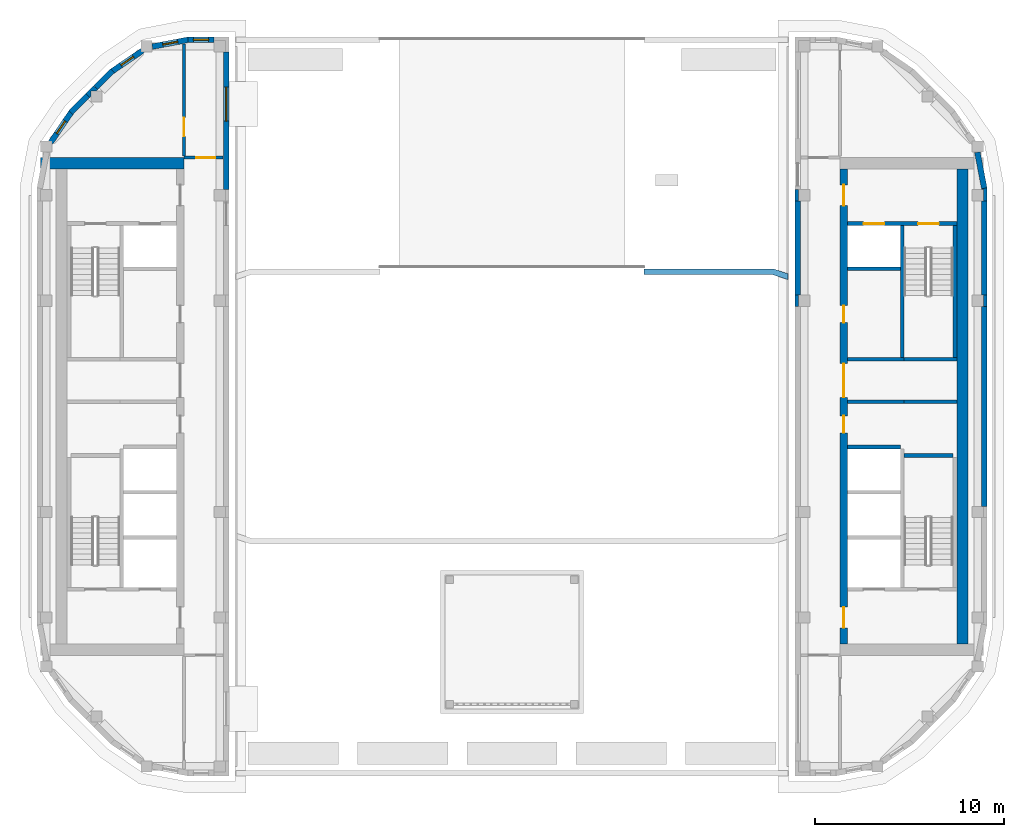
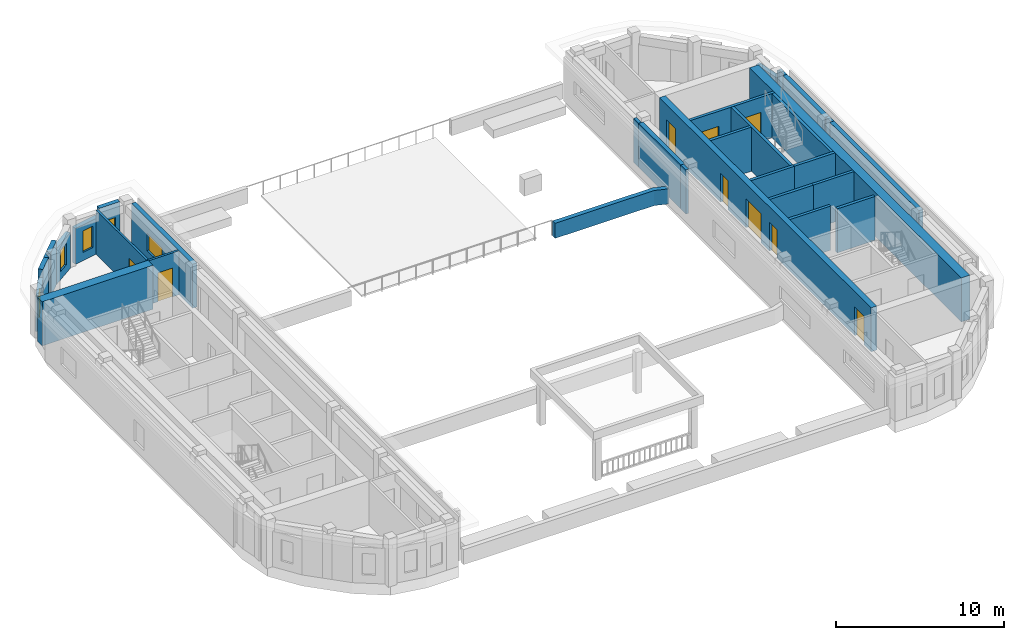
# One storey, part 4 of 14: 32 walls, 9 doors, 5 windows, 14 openings.
"""IFC4 building model written with IfcOpenShell, lengths in metres."""

import ifcopenshell
import ifcopenshell.guid

model = None  # the IFC model being written
_history = None  # IfcOwnerHistory: only IFC2X3 demands one
_inside = {}  # id of a spatial element -> (the spatial element, [elements in it])
_under = {}  # id of a project, library or spatial element -> (it, [spatial elements below it])
_declared = {}  # id of a project -> (the project, [libraries it declares])
_typed = {}  # id of a type object -> (the type object, [elements of that type])
_made_of = {}  # id of a material, layer set ... -> (it, [elements and type objects made of it])


def new_model(schema):
    """Start an empty IFC model of exactly this schema.

    Asked for "IFC4X3", IfcOpenShell would pick the latest addendum, in which some entities
    have other attributes; the version numbers below select the first issue.
    IFC2X3 requires an IfcOwnerHistory on every rooted entity: one is made here for all.
    """
    global model, _history
    if schema == "IFC4X3":
        model = ifcopenshell.file(schema_version=(4, 3, 0, 0))
    else:
        model = ifcopenshell.file(schema=schema)
    _inside.clear()
    _under.clear()
    _declared.clear()
    _typed.clear()
    _made_of.clear()
    _history = None
    if model.schema == "IFC2X3":
        org = make("IfcOrganization", Name="unknown")
        user = make(
            "IfcPersonAndOrganization",
            ThePerson=make("IfcPerson", FamilyName="unknown"),
            TheOrganization=org,
        )
        app = make(
            "IfcApplication",
            ApplicationDeveloper=org,
            Version="unknown",
            ApplicationFullName="unknown",
            ApplicationIdentifier="unknown",
        )
        _history = make(
            "IfcOwnerHistory",
            OwningUser=user,
            OwningApplication=app,
            ChangeAction="ADDED",
            CreationDate=0,
        )
    return model


def make(cls, **values):
    """One entity of the class cls with the attributes given. An attribute that is None is left unset."""
    return model.create_entity(
        cls, **{name: value for name, value in values.items() if value is not None}
    )


def rooted(cls, **values):
    """An entity with a GlobalId (a new one), such as an element, a storey or a relation."""
    return make(cls, GlobalId=ifcopenshell.guid.new(), OwnerHistory=_history, **values)


def si_unit(unit_type, name, prefix=None):
    """IfcSIUnit, for example si_unit("LENGTHUNIT", "METRE", prefix="MILLI")."""
    return make("IfcSIUnit", UnitType=unit_type, Prefix=prefix, Name=name)


def assignment(units):
    """IfcUnitAssignment: the units of a project."""
    return None if units is None else make("IfcUnitAssignment", Units=units)


def point(xyz):
    """IfcCartesianPoint."""
    return None if xyz is None else make("IfcCartesianPoint", Coordinates=xyz)


def direction(xyz):
    """IfcDirection."""
    return None if xyz is None else make("IfcDirection", DirectionRatios=xyz)


def frame(location, z_axis=None, x_axis=None):
    """IfcAxis2Placement3D, a coordinate frame: its origin and axes. An axis left out is left unset."""
    return make(
        "IfcAxis2Placement3D",
        Location=point(location),
        Axis=direction(z_axis),
        RefDirection=direction(x_axis),
    )


def frame_2d(location, x_axis=None):
    """IfcAxis2Placement2D, a coordinate frame in the plane: its origin and x axis."""
    return make(
        "IfcAxis2Placement2D", Location=point(location), RefDirection=direction(x_axis)
    )


def origin():
    """The frame at (0, 0, 0) with its axes left unset."""
    return frame((0.0, 0.0, 0.0))


def place(relative_to, where):
    """IfcLocalPlacement: puts the frame where relative to a parent placement (None: the world)."""
    return make(
        "IfcLocalPlacement", PlacementRelTo=relative_to, RelativePlacement=where
    )


def context(
    kind, dimensions, precision=None, world=None, true_north=None, identifier=None
):
    """IfcGeometricRepresentationContext, for example the 3D "Model" context."""
    return make(
        "IfcGeometricRepresentationContext",
        ContextIdentifier=identifier,
        ContextType=kind,
        CoordinateSpaceDimension=dimensions,
        Precision=precision,
        WorldCoordinateSystem=world,
        TrueNorth=true_north,
    )


def subcontext(parent, identifier, kind, view, scale=None):
    """IfcGeometricRepresentationSubContext, for example "Body" below "Model"."""
    return make(
        "IfcGeometricRepresentationSubContext",
        ContextIdentifier=identifier,
        ContextType=kind,
        ParentContext=parent,
        TargetScale=scale,
        TargetView=view,
    )


def project(units=None, contexts=None):
    """IfcProject with its units and contexts."""
    return rooted(
        "IfcProject",
        Name="project",
        RepresentationContexts=contexts,
        UnitsInContext=assignment(units),
    )


def spatial(cls, under=None, at=None, **own):
    """A site, building, storey or space (cls), placed at a placement, below another one or the project."""
    s = rooted(cls, ObjectPlacement=at, **own)
    if under is not None:
        _under.setdefault(under.id(), (under, []))[1].append(s)
    return s


def polyline(points):
    """IfcPolyline through the points."""
    return make("IfcPolyline", Points=[point(p) for p in points])


def profile(cls, at=None, kind="AREA", **sizes):
    """A parametric profile (cls). Its sizes go by their IFC names, for example OverallWidth=200.0."""
    return make(cls, ProfileType=kind, Position=at, **sizes)


def rectangle(**sizes):
    """IfcRectangleProfileDef."""
    return profile("IfcRectangleProfileDef", **sizes)


def outline(outer, holes=None, kind="AREA"):
    """IfcArbitraryClosedProfileDef: a profile drawn as a closed curve; with holes, ...WithVoids."""
    if holes is None:
        return make("IfcArbitraryClosedProfileDef", ProfileType=kind, OuterCurve=outer)
    return make(
        "IfcArbitraryProfileDefWithVoids",
        ProfileType=kind,
        OuterCurve=outer,
        InnerCurves=holes,
    )


def extrude(swept, where, along, depth):
    """IfcExtrudedAreaSolid: the profile swept, set in the frame where, extruded along a direction by depth."""
    return make(
        "IfcExtrudedAreaSolid",
        SweptArea=swept,
        Position=where,
        ExtrudedDirection=direction(along),
        Depth=depth,
    )


def shape(context_of_items, identifier, shape_type, items):
    """IfcShapeRepresentation: the items that make up one representation, for example the "Body"."""
    return make(
        "IfcShapeRepresentation",
        ContextOfItems=context_of_items,
        RepresentationIdentifier=identifier,
        RepresentationType=shape_type,
        Items=items,
    )


def material(Name=None, Category=None):
    """IfcMaterial."""
    return make("IfcMaterial", Name=Name, Category=Category)


def layer(
    of_material, thickness, ventilated=None, Name=None, Category=None, Priority=None
):
    """IfcMaterialLayer: one layer of a wall or slab, of a material (None: an air gap)."""
    return make(
        "IfcMaterialLayer",
        Material=of_material,
        LayerThickness=thickness,
        IsVentilated=ventilated,
        Name=Name,
        Category=Category,
        Priority=Priority,
    )


def layer_set(layers, Name=None):
    """IfcMaterialLayerSet."""
    return make("IfcMaterialLayerSet", MaterialLayers=layers, LayerSetName=Name)


def made_of(thing, what):
    """Note that an element or type object is made of a material, layer set ...; save() writes the relation."""
    if what is not None:
        _made_of.setdefault(what.id(), (what, []))[1].append(thing)
    return thing


def type_object(cls, material=None, **own):
    """A type object (cls), such as IfcWallType, which elements share."""
    return made_of(rooted(cls, **own), material)


def element(
    cls,
    number,
    at=None,
    inside=None,
    cuts=None,
    type_object=None,
    material=None,
    context=None,
    identifier="Body",
    shape_type=None,
    held_by="IfcProductDefinitionShape",
    body=None,
    shapes=None,
    **own,
):
    """One element of the class cls, such as IfcWall. Its Tag is "e" and its number.

    at: its placement. inside: the storey or other place that contains it. cuts: it is an
    opening in that element (IfcRelVoidsElement). A single representation is given by context,
    identifier, shape_type and body (its items); several are given by shapes. held_by: the class
    of the entity that holds the representations. save() writes the other relations.
    """
    e = rooted(cls, Tag="e%d" % number, ObjectPlacement=at, **own)
    if body is not None:
        shapes = [shape(context, identifier, shape_type, body)]
    if shapes is not None:
        e.Representation = make(held_by, Representations=shapes)
    if inside is not None:
        _inside.setdefault(inside.id(), (inside, []))[1].append(e)
    if cuts is not None:
        rooted(
            "IfcRelVoidsElement", RelatingBuildingElement=cuts, RelatedOpeningElement=e
        )
    if type_object is not None:
        _typed.setdefault(type_object.id(), (type_object, []))[1].append(e)
    return made_of(e, material)


def fill(opening, filler):
    """IfcRelFillsElement: the door or window that sits in an opening."""
    return rooted(
        "IfcRelFillsElement",
        RelatingOpeningElement=opening,
        RelatedBuildingElement=filler,
    )


def aggregate(whole, parts):
    """IfcRelAggregates: a whole, such as a stair, and the parts it consists of."""
    return rooted("IfcRelAggregates", RelatingObject=whole, RelatedObjects=parts)


def save(model, path):
    """Write the relations noted so far, then the file.

    IfcRelAggregates (storeys below a building ...), IfcRelContainedInSpatialStructure (elements
    in a storey), IfcRelDefinesByType, IfcRelAssociatesMaterial and IfcRelDeclares: one each for
    every whole, place, type object, material and project.
    """
    for whole, parts in _under.values():
        aggregate(whole, parts)
    for where, things in _inside.values():
        rooted(
            "IfcRelContainedInSpatialStructure",
            RelatedElements=things,
            RelatingStructure=where,
        )
    for kind, things in _typed.values():
        rooted("IfcRelDefinesByType", RelatedObjects=things, RelatingType=kind)
    for what, things in _made_of.values():
        rooted("IfcRelAssociatesMaterial", RelatedObjects=things, RelatingMaterial=what)
    for by, libraries in _declared.values():
        rooted("IfcRelDeclares", RelatingContext=by, RelatedDefinitions=libraries)
    model.write(path)


model = new_model("IFC4")

# Units and contexts
model_context = context("Model", 3, precision=1e-05, world=origin(), true_north=direction((0.0, 1.0)))
body_context = subcontext(model_context, "Body", "Model", "MODEL_VIEW")
ifc_project = project(units=[si_unit("LENGTHUNIT", "METRE"), si_unit("AREAUNIT", "SQUARE_METRE"), si_unit("VOLUMEUNIT", "CUBIC_METRE"), si_unit("PLANEANGLEUNIT", "RADIAN"), si_unit("MASSUNIT", "GRAM", prefix="KILO")], contexts=[model_context])

# Site, building, storey
site_placement = place(None, origin())
site = spatial("IfcSite", under=ifc_project, at=site_placement, CompositionType="ELEMENT")
building_placement = place(site_placement, origin())
building = spatial("IfcBuilding", under=site, at=building_placement, Name="Kiln Ring Residences", CompositionType="ELEMENT")
storey_placement = place(building_placement, frame((0.0, 0.0, 299.89990234375)))
storey = spatial("IfcBuildingStorey", under=building, at=storey_placement, Name="L77 Crown", CompositionType="ELEMENT", Elevation=299.89990234375)

# Walls
ifc_material_1 = material(Name="Gypsum board on steel studs", Category="steel")
ifc_layer_1 = layer(ifc_material_1, 0.199951171875)
ifc_layer_set_1 = layer_set([ifc_layer_1], Name="CORE-PARTITION-200")
wall_type_1 = type_object("IfcWallType", Name="CORE-PARTITION-200", PredefinedType="PARTITIONING", material=ifc_layer_set_1)
wall_1_placement = place(storey_placement, frame((20.800048828125, 0.25, 0.0), z_axis=(0.0, 0.0, 1.0), x_axis=(1.0, 0.0, 0.0)))
element("IfcWall", 1, at=wall_1_placement, inside=storey, type_object=wall_type_1, Name="Core partition east L77 Crown 1", PredefinedType="PARTITIONING", context=body_context, shape_type="SweptSolid", body=[
    extrude(rectangle(XDim=2.800048828125, YDim=0.199951171875, at=frame_2d((1.39990234375, 0.0))), origin(), (0.0, 0.0, 1.0), 3.2001953125),
])
ifc_material_2 = material(Name="Gypsum shaft wall system")
ifc_layer_2 = layer(ifc_material_2, 0.199951171875)
ifc_layer_set_2 = layer_set([ifc_layer_2], Name="CORE-SHAFT-WALL-200")
wall_type_2 = type_object("IfcWallType", Name="CORE-SHAFT-WALL-200", PredefinedType="PARTITIONING", material=ifc_layer_set_2)
wall_2_placement = place(storey_placement, frame((17.800048828125, -2.14990234375, 0.0), z_axis=(0.0, 0.0, 1.0), x_axis=(1.0, 0.0, 0.0)))
element("IfcWall", 2, at=wall_2_placement, inside=storey, type_object=wall_type_2, Name="Core partition east L77 Crown 4", PredefinedType="PARTITIONING", context=body_context, shape_type="SweptSolid", body=[
    extrude(rectangle(XDim=2.800048828125, YDim=0.199951171875, at=frame_2d((1.39990234375, 0.0))), origin(), (0.0, 0.0, 1.0), 3.2001953125),
])
for number, where, z_axis, x_axis, name in (
    (3, (17.800048828125, 0.25, 0.0), (0.0, 0.0, 1.0), (1.0, 0.0, 0.0), "Core partition east L77 Crown 5"),
    (4, (17.800048828125, 2.5, 0.0), (0.0, 0.0, 1.0), (1.0, 0.0, 0.0), "Core partition east L77 Crown 6"),
):
    element("IfcWall", number, at=place(storey_placement, frame(where, z_axis=z_axis, x_axis=x_axis)), inside=storey, type_object=wall_type_2, Name=name, PredefinedType="PARTITIONING", context=body_context, shape_type="SweptSolid", body=[
        extrude(rectangle(XDim=3.0, YDim=0.199951171875, at=frame_2d((1.5, 0.0))), origin(), (0.0, 0.0, 1.0), 3.2001953125),
    ])
wall_3_placement = place(storey_placement, frame((17.800048828125, 7.300048828125, 0.0), z_axis=(0.0, 0.0, 1.0), x_axis=(1.0, 0.0, 0.0)))
element("IfcWall", 5, at=wall_3_placement, inside=storey, type_object=wall_type_2, Name="Core partition east L77 Crown 7", PredefinedType="PARTITIONING", context=body_context, shape_type="SweptSolid", body=[
    extrude(rectangle(XDim=2.800048828125, YDim=0.199951171875, at=frame_2d((1.39990234375, 0.0))), origin(), (0.0, 0.0, 1.0), 3.2001953125),
])
ifc_material_3 = material(Name="Concrete C40/50", Category="concrete")
ifc_layer_3 = layer(ifc_material_3, 0.199951171875)
ifc_layer_set_3 = layer_set([ifc_layer_3], Name="CORE-WALL-RC200")
wall_type_3 = type_object("IfcWallType", Name="CORE-WALL-RC200", PredefinedType="SHEAR", material=ifc_layer_set_3)
wall_4_placement = place(storey_placement, frame((20.699951171875, 2.60009765625, 0.0), z_axis=(0.0, 0.0, 1.0), x_axis=(0.0, 1.0, 0.0)))
element("IfcWall", 6, at=wall_4_placement, inside=storey, type_object=wall_type_3, Name="Core wall east L77 Crown 1", PredefinedType="SHEAR", context=body_context, shape_type="SweptSolid", body=[
    extrude(rectangle(XDim=7.0, YDim=0.199951171875, at=frame_2d((3.5, 0.0))), origin(), (0.0, 0.0, 1.0), 3.2001953125),
])
wall_5_placement = place(storey_placement, frame((20.800048828125, 2.5, 0.0), z_axis=(0.0, 0.0, 1.0), x_axis=(1.0, 0.0, 0.0)))
element("IfcWall", 7, at=wall_5_placement, inside=storey, type_object=wall_type_3, Name="Core wall east L77 Crown 3", PredefinedType="SHEAR", context=body_context, shape_type="SweptSolid", body=[
    extrude(rectangle(XDim=2.800048828125, YDim=0.199951171875, at=frame_2d((1.39990234375, 0.0))), origin(), (0.0, 0.0, 1.0), 3.2001953125),
])

# Wall, openings, doors
wall_6_placement = place(storey_placement, frame((17.800048828125, 9.699951171875, 0.0), z_axis=(0.0, 0.0, 1.0), x_axis=(1.0, 0.0, 0.0)))
wall_6 = element("IfcWall", 8, at=wall_6_placement, inside=storey, type_object=wall_type_3, Name="Core wall east L77 Crown 9", PredefinedType="SHEAR", context=body_context, shape_type="SweptSolid", body=[
    extrude(rectangle(XDim=5.800048828125, YDim=0.199951171875, at=frame_2d((2.89990234375, 0.0))), origin(), (0.0, 0.0, 1.0), 3.2001953125),
])
opening_1_placement = place(wall_6_placement, frame((0.85009765625, 0.0, 0.0)))
opening_1 = element("IfcOpeningElement", 9, at=opening_1_placement, cuts=wall_6, Name="Opening L77-CE04", PredefinedType="OPENING", context=body_context, shape_type="SweptSolid", body=[
    extrude(rectangle(XDim=1.10009765625, YDim=2.10009765625, at=frame_2d((0.550048828125, 1.050048828125))), frame((0.0, 0.10986328125, 0.0), z_axis=(0.0, -1.0, 0.0), x_axis=(1.0, 0.0, 0.0)), (0.0, 0.0, 1.0), 0.219970703125),
])
opening_2_placement = place(wall_6_placement, frame((3.75, 0.0, 0.0)))
opening_2 = element("IfcOpeningElement", 10, at=opening_2_placement, cuts=wall_6, Name="Opening L77-CE07", PredefinedType="OPENING", context=body_context, shape_type="SweptSolid", body=[
    extrude(rectangle(XDim=1.10009765625, YDim=2.10009765625, at=frame_2d((0.550048828125, 1.050048828125))), frame((0.0, 0.10986328125, 0.0), z_axis=(0.0, -1.0, 0.0), x_axis=(1.0, 0.0, 0.0)), (0.0, 0.0, 1.0), 0.219970703125),
])
ifc_material_4 = material(Name="Steel door leaf", Category="steel")
door_type_1 = type_object("IfcDoorType", Name="CORE-DOOR-LD", OperationType="DOUBLE_DOOR_SLIDING", PredefinedType="DOOR", material=ifc_material_4)
door_1_placement = place(opening_1_placement, origin())
door_1 = element("IfcDoor", 11, at=door_1_placement, inside=storey, type_object=door_type_1, Name="LD E-FF L77-CE04", OperationType="DOUBLE_DOOR_SLIDING", OverallHeight=2.10009765625, OverallWidth=1.10009765625, PredefinedType="DOOR", context=body_context, shape_type="SweptSolid", body=[
    extrude(rectangle(XDim=1.10009765625, YDim=2.10009765625, at=frame_2d((0.550048828125, 1.050048828125))), frame((0.0, 0.02490234375, 0.0), z_axis=(0.0, -1.0, 0.0), x_axis=(1.0, 0.0, 0.0)), (0.0, 0.0, 1.0), 0.050048828125),
])
fill(opening_1, door_1)
ifc_material_5 = material(Name="Steel door leaf", Category="steel")
door_type_2 = type_object("IfcDoorType", Name="CORE-DOOR-STAIR", OperationType="SINGLE_SWING_LEFT", PredefinedType="DOOR", material=ifc_material_5)
door_2_placement = place(opening_2_placement, origin())
door_2 = element("IfcDoor", 12, at=door_2_placement, inside=storey, type_object=door_type_2, Name="Stair E-STN L77-CE07", OperationType="SINGLE_SWING_RIGHT", OverallHeight=2.10009765625, OverallWidth=1.10009765625, PredefinedType="DOOR", context=body_context, shape_type="SweptSolid", body=[
    extrude(rectangle(XDim=1.10009765625, YDim=2.10009765625, at=frame_2d((0.550048828125, 1.050048828125))), frame((0.0, 0.02490234375, 0.0), z_axis=(0.0, -1.0, 0.0), x_axis=(1.0, 0.0, 0.0)), (0.0, 0.0, 1.0), 0.050048828125),
])
fill(opening_2, door_2)

# Walls
wall_7_placement = place(storey_placement, frame((23.5, 2.60009765625, 0.0), z_axis=(0.0, 0.0, 1.0), x_axis=(0.0, 1.0, 0.0)))
element("IfcWall", 13, at=wall_7_placement, inside=storey, type_object=wall_type_3, Name="Core wall east L77 Crown 10", PredefinedType="SHEAR", context=body_context, shape_type="SweptSolid", body=[
    extrude(rectangle(XDim=7.0, YDim=0.199951171875, at=frame_2d((3.5, 0.0))), origin(), (0.0, 0.0, 1.0), 3.2001953125),
])
wall_8_placement = place(storey_placement, frame((20.800048828125, -2.60009765625, 0.0), z_axis=(0.0, 0.0, 1.0), x_axis=(1.0, 0.0, 0.0)))
element("IfcWall", 14, at=wall_8_placement, inside=storey, type_object=wall_type_3, Name="Core wall east L77 Crown 12", PredefinedType="SHEAR", context=body_context, shape_type="SweptSolid", body=[
    extrude(rectangle(XDim=2.599853515625, YDim=0.199951171875, at=frame_2d((1.2998046875, 0.0))), origin(), (0.0, 0.0, 1.0), 3.2001953125),
])

# Wall, openings, doors
ifc_material_6 = material(Name="Concrete C60/75", Category="concrete")
ifc_layer_4 = layer(ifc_material_6, 0.39990234375)
ifc_layer_set_4 = layer_set([ifc_layer_4], Name="CORE-WALL-RC400")
wall_type_4 = type_object("IfcWallType", Name="CORE-WALL-RC400", PredefinedType="SHEAR", material=ifc_layer_set_4)
wall_9_placement = place(storey_placement, frame((17.60009765625, -12.60009765625, 0.0), z_axis=(0.0, 0.0, 1.0), x_axis=(0.0, 1.0, 0.0)))
wall_9 = element("IfcWall", 15, at=wall_9_placement, inside=storey, type_object=wall_type_4, Name="Core wall east L77 Crown 6", PredefinedType="SHEAR", context=body_context, shape_type="SweptSolid", body=[
    extrude(rectangle(XDim=25.2001953125, YDim=0.39990234375, at=frame_2d((12.60009765625, 0.0))), origin(), (0.0, 0.0, 1.0), 3.2001953125),
])
opening_3_placement = place(wall_9_placement, frame((11.199951171875, 0.0, 0.0)))
opening_3 = element("IfcOpeningElement", 16, at=opening_3_placement, cuts=wall_9, Name="Opening L77-CE02", PredefinedType="OPENING", context=body_context, shape_type="SweptSolid", body=[
    extrude(rectangle(XDim=0.89990234375, YDim=2.10009765625, at=frame_2d((0.449951171875, 1.050048828125))), frame((0.0, 0.2099609375, 0.0), z_axis=(0.0, -1.0, 0.0), x_axis=(1.0, 0.0, 0.0)), (0.0, 0.0, 1.0), 0.419921875),
])
opening_4_placement = place(wall_9_placement, frame((17.050048828125, 0.0, 0.0)))
opening_4 = element("IfcOpeningElement", 17, at=opening_4_placement, cuts=wall_9, Name="Opening L77-CE03", PredefinedType="OPENING", context=body_context, shape_type="SweptSolid", body=[
    extrude(rectangle(XDim=0.89990234375, YDim=2.10009765625, at=frame_2d((0.449951171875, 1.050048828125))), frame((0.0, 0.2099609375, 0.0), z_axis=(0.0, -1.0, 0.0), x_axis=(1.0, 0.0, 0.0)), (0.0, 0.0, 1.0), 0.419921875),
])
opening_5_placement = place(wall_9_placement, frame((23.25, 0.0, 0.0)))
opening_5 = element("IfcOpeningElement", 18, at=opening_5_placement, cuts=wall_9, Name="Opening L77-CE05", PredefinedType="OPENING", context=body_context, shape_type="SweptSolid", body=[
    extrude(rectangle(XDim=1.10009765625, YDim=2.10009765625, at=frame_2d((0.550048828125, 1.050048828125))), frame((0.0, 0.2099609375, 0.0), z_axis=(0.0, -1.0, 0.0), x_axis=(1.0, 0.0, 0.0)), (0.0, 0.0, 1.0), 0.419921875),
])
opening_6_placement = place(wall_9_placement, frame((0.85009765625, 0.0, 0.0)))
opening_6 = element("IfcOpeningElement", 19, at=opening_6_placement, cuts=wall_9, Name="Opening L77-CE06", PredefinedType="OPENING", context=body_context, shape_type="SweptSolid", body=[
    extrude(rectangle(XDim=1.10009765625, YDim=2.10009765625, at=frame_2d((0.550048828125, 1.050048828125))), frame((0.0, 0.2099609375, 0.0), z_axis=(0.0, -1.0, 0.0), x_axis=(1.0, 0.0, 0.0)), (0.0, 0.0, 1.0), 0.419921875),
])
opening_7_placement = place(wall_9_placement, frame((13.074951171875, 0.0, 0.0)))
opening_7 = element("IfcOpeningElement", 20, at=opening_7_placement, cuts=wall_9, Name="Opening L77-CE09", PredefinedType="OPENING", context=body_context, shape_type="SweptSolid", body=[
    extrude(rectangle(XDim=1.800048828125, YDim=2.10009765625, at=frame_2d((0.89990234375, 1.050048828125))), frame((0.0, 0.2099609375, 0.0), z_axis=(0.0, -1.0, 0.0), x_axis=(1.0, 0.0, 0.0)), (0.0, 0.0, 1.0), 0.419921875),
])
ifc_material_7 = material(Name="Steel door leaf", Category="steel")
door_type_3 = type_object("IfcDoorType", Name="CORE-DOOR-LOBBY", OperationType="SINGLE_SWING_LEFT", PredefinedType="DOOR", material=ifc_material_7)
door_3_placement = place(opening_5_placement, origin())
door_3 = element("IfcDoor", 21, at=door_3_placement, inside=storey, type_object=door_type_3, Name="FFL L77-CE05", OperationType="SINGLE_SWING_LEFT", OverallHeight=2.10009765625, OverallWidth=1.10009765625, PredefinedType="DOOR", context=body_context, shape_type="SweptSolid", body=[
    extrude(rectangle(XDim=1.10009765625, YDim=2.10009765625, at=frame_2d((0.550048828125, 1.050048828125))), frame((0.0, 0.02490234375, 0.0), z_axis=(0.0, -1.0, 0.0), x_axis=(1.0, 0.0, 0.0)), (0.0, 0.0, 1.0), 0.050048828125),
])
fill(opening_5, door_3)
door_4_placement = place(opening_6_placement, origin())
door_4 = element("IfcDoor", 22, at=door_4_placement, inside=storey, type_object=door_type_3, Name="SVL L77-CE06", OperationType="SINGLE_SWING_RIGHT", OverallHeight=2.10009765625, OverallWidth=1.10009765625, PredefinedType="DOOR", context=body_context, shape_type="SweptSolid", body=[
    extrude(rectangle(XDim=1.10009765625, YDim=2.10009765625, at=frame_2d((0.550048828125, 1.050048828125))), frame((0.0, 0.02490234375, 0.0), z_axis=(0.0, -1.0, 0.0), x_axis=(1.0, 0.0, 0.0)), (0.0, 0.0, 1.0), 0.050048828125),
])
fill(opening_6, door_4)
ifc_material_8 = material(Name="Steel door leaf", Category="steel")
door_type_4 = type_object("IfcDoorType", Name="CORE-DOOR-PASS", OperationType="DOUBLE_DOOR_SINGLE_SWING", PredefinedType="DOOR", material=ifc_material_8)
door_5_placement = place(opening_7_placement, origin())
door_5 = element("IfcDoor", 23, at=door_5_placement, inside=storey, type_object=door_type_4, Name="Core passage L77-CE09", OperationType="DOUBLE_DOOR_SINGLE_SWING", OverallHeight=2.10009765625, OverallWidth=1.800048828125, PredefinedType="DOOR", context=body_context, shape_type="SweptSolid", body=[
    extrude(rectangle(XDim=1.800048828125, YDim=2.10009765625, at=frame_2d((0.89990234375, 1.050048828125))), frame((0.0, 0.02490234375, 0.0), z_axis=(0.0, -1.0, 0.0), x_axis=(1.0, 0.0, 0.0)), (0.0, 0.0, 1.0), 0.050048828125),
])
fill(opening_7, door_5)
ifc_material_9 = material(Name="Steel door leaf", Category="steel")
door_type_5 = type_object("IfcDoorType", Name="CORE-DOOR-ROOM", OperationType="SINGLE_SWING_LEFT", PredefinedType="DOOR", material=ifc_material_9)
door_6_placement = place(opening_3_placement, origin())
door_6 = element("IfcDoor", 24, at=door_6_placement, inside=storey, type_object=door_type_5, Name="Store L77-CE02", OperationType="SINGLE_SWING_LEFT", OverallHeight=2.10009765625, OverallWidth=0.89990234375, PredefinedType="DOOR", context=body_context, shape_type="SweptSolid", body=[
    extrude(rectangle(XDim=0.89990234375, YDim=2.10009765625, at=frame_2d((0.449951171875, 1.050048828125))), frame((0.0, 0.02490234375, 0.0), z_axis=(0.0, -1.0, 0.0), x_axis=(1.0, 0.0, 0.0)), (0.0, 0.0, 1.0), 0.050048828125),
])
fill(opening_3, door_6)
door_7_placement = place(opening_4_placement, origin())
door_7 = element("IfcDoor", 25, at=door_7_placement, inside=storey, type_object=door_type_5, Name="Housekeeping store L77-CE03", OperationType="SINGLE_SWING_RIGHT", OverallHeight=2.10009765625, OverallWidth=0.89990234375, PredefinedType="DOOR", context=body_context, shape_type="SweptSolid", body=[
    extrude(rectangle(XDim=0.89990234375, YDim=2.10009765625, at=frame_2d((0.449951171875, 1.050048828125))), frame((0.0, 0.02490234375, 0.0), z_axis=(0.0, -1.0, 0.0), x_axis=(1.0, 0.0, 0.0)), (0.0, 0.0, 1.0), 0.050048828125),
])
fill(opening_4, door_7)

# Walls
ifc_material_10 = material(Name="Concrete C60/75", Category="concrete")
ifc_layer_5 = layer(ifc_material_10, 0.60009765625)
ifc_layer_set_5 = layer_set([ifc_layer_5], Name="CORE-WALL-RC600")
wall_type_5 = type_object("IfcWallType", Name="CORE-WALL-RC600", PredefinedType="SHEAR", material=ifc_layer_set_5)
wall_10_placement = place(storey_placement, frame((-17.39990234375, 12.89990234375, 0.0), z_axis=(0.0, 0.0, 1.0), x_axis=(-1.0, 0.0, 0.0)))
element("IfcWall", 26, at=wall_10_placement, inside=storey, type_object=wall_type_5, Name="Core wall west L77 Crown 4", PredefinedType="SHEAR", context=body_context, shape_type="SweptSolid", body=[
    extrude(rectangle(XDim=7.60009765625, YDim=0.60009765625, at=frame_2d((3.800048828125, 0.0))), origin(), (0.0, 0.0, 1.0), 3.2001953125),
])
wall_11_placement = place(storey_placement, frame((23.89990234375, -12.60009765625, 0.0), z_axis=(0.0, 0.0, 1.0), x_axis=(0.0, 1.0, 0.0)))
element("IfcWall", 27, at=wall_11_placement, inside=storey, type_object=wall_type_5, Name="Core wall east L77 Crown 7", PredefinedType="SHEAR", context=body_context, shape_type="SweptSolid", body=[
    extrude(rectangle(XDim=25.2001953125, YDim=0.60009765625, at=frame_2d((12.60009765625, 0.0))), origin(), (0.0, 0.0, 1.0), 3.2001953125),
])

# Wall, opening, window
ifc_material_11 = material(Name="Brick masonry, dark clay brick", Category="masonry")
ifc_layer_6 = layer(ifc_material_11, 0.300048828125)
ifc_layer_set_6 = layer_set([ifc_layer_6], Name="EW-300 BRICK WALL")
wall_type_6 = type_object("IfcWallType", Name="EW-300 BRICK WALL", PredefinedType="SOLIDWALL", material=ifc_layer_set_6)
wall_12_placement = place(storey_placement, frame((-15.14990234375, 11.5, 0.0), z_axis=(0.0, 0.0, 1.0), x_axis=(0.0, 1.0, 0.0)))
wall_12 = element("IfcWall", 28, at=wall_12_placement, inside=storey, type_object=wall_type_6, Name="Facade wall L77 Crown 8", PredefinedType="SOLIDWALL", context=body_context, shape_type="SweptSolid", body=[
    extrude(rectangle(XDim=7.300048828125, YDim=0.300048828125, at=frame_2d((3.64990234375, 0.0))), origin(), (0.0, 0.0, 1.0), 3.2001953125),
])
opening_8_placement = place(wall_12_placement, frame((3.637451171875, 0.0, 0.89990234375)))
opening_8 = element("IfcOpeningElement", 29, at=opening_8_placement, cuts=wall_12, Name="Opening W2", PredefinedType="OPENING", context=body_context, shape_type="SweptSolid", body=[
    extrude(rectangle(XDim=1.800048828125, YDim=1.25, at=frame_2d((0.89990234375, 0.625))), frame((0.0, 0.159912109375, 0.0), z_axis=(0.0, -1.0, 0.0), x_axis=(1.0, 0.0, 0.0)), (0.0, 0.0, 1.0), 0.320068359375),
])
ifc_material_12 = material(Name="Aluminium frame with double glazing", Category="aluminium")
window_type_1 = type_object("IfcWindowType", Name="WINDOW 1800 x 1250", PartitioningType="SINGLE_PANEL", PredefinedType="WINDOW", material=ifc_material_12)
window_1_placement = place(opening_8_placement, origin())
window_1 = element("IfcWindow", 30, at=window_1_placement, inside=storey, type_object=window_type_1, Name="Window L77 Crown 5", OverallHeight=1.25, OverallWidth=1.800048828125, PartitioningType="SINGLE_PANEL", PredefinedType="WINDOW", context=body_context, shape_type="SweptSolid", body=[
    extrude(rectangle(XDim=1.800048828125, YDim=1.25, at=frame_2d((0.89990234375, 0.625))), frame((0.0, 0.030029296875, 0.0), z_axis=(0.0, -1.0, 0.0), x_axis=(1.0, 0.0, 0.0)), (0.0, 0.0, 1.0), 0.06005859375),
])
fill(opening_8, window_1)

wall_13_placement = place(storey_placement, frame((-15.800048828125, 19.449951171875, 0.0), z_axis=(0.0, 0.0, 1.0), x_axis=(-1.0, 0.0, 0.0)))
wall_13 = element("IfcWall", 31, at=wall_13_placement, inside=storey, type_object=wall_type_6, Name="Facade wall L77 Crown 9", PredefinedType="SOLIDWALL", context=body_context, shape_type="SweptSolid", body=[
    extrude(rectangle(XDim=1.39990234375, YDim=0.300048828125, at=frame_2d((0.699951171875, 0.0))), origin(), (0.0, 0.0, 1.0), 3.2001953125),
])
opening_9_placement = place(wall_13_placement, frame((0.300048828125, 0.0, 0.60009765625)))
opening_9 = element("IfcOpeningElement", 32, at=opening_9_placement, cuts=wall_13, Name="Opening W5", PredefinedType="OPENING", context=body_context, shape_type="SweptSolid", body=[
    extrude(rectangle(XDim=0.800048828125, YDim=1.550048828125, at=frame_2d((0.39990234375, 0.77490234375))), frame((0.0, 0.159912109375, 0.0), z_axis=(0.0, -1.0, 0.0), x_axis=(1.0, 0.0, 0.0)), (0.0, 0.0, 1.0), 0.320068359375),
])
ifc_material_13 = material(Name="Aluminium frame with double glazing", Category="aluminium")
window_type_2 = type_object("IfcWindowType", Name="WINDOW 800 x 1550", PartitioningType="SINGLE_PANEL", PredefinedType="WINDOW", material=ifc_material_13)
window_2_placement = place(opening_9_placement, origin())
window_2 = element("IfcWindow", 33, at=window_2_placement, inside=storey, type_object=window_type_2, Name="Window L77 Crown 6", OverallHeight=1.550048828125, OverallWidth=0.800048828125, PartitioningType="SINGLE_PANEL", PredefinedType="WINDOW", context=body_context, shape_type="SweptSolid", body=[
    extrude(rectangle(XDim=0.800048828125, YDim=1.550048828125, at=frame_2d((0.39990234375, 0.77490234375))), frame((0.0, 0.030029296875, 0.0), z_axis=(0.0, -1.0, 0.0), x_axis=(1.0, 0.0, 0.0)), (0.0, 0.0, 1.0), 0.06005859375),
])
fill(opening_9, window_2)

wall_14_placement = place(storey_placement, frame((-17.171875, 19.45263671875, 0.0), z_axis=(0.0, 0.0, 1.0), x_axis=(-0.982286967073, -0.187382801553, 0.0)))
wall_14 = element("IfcWall", 34, at=wall_14_placement, inside=storey, type_object=wall_type_6, Name="Facade wall L77 Crown 10", PredefinedType="SOLIDWALL", context=body_context, shape_type="SweptSolid", body=[
    extrude(rectangle(XDim=1.94775390625, YDim=0.300048828125, at=frame_2d((0.973876953125, 0.0))), origin(), (0.0, 0.0, 1.0), 2.60009765625),
])
opening_10_placement = place(wall_14_placement, frame((0.573974609375, 0.0, 0.60009765625)))
opening_10 = element("IfcOpeningElement", 35, at=opening_10_placement, cuts=wall_14, Name="Opening W5", PredefinedType="OPENING", context=body_context, shape_type="SweptSolid", body=[
    extrude(rectangle(XDim=0.800048828125, YDim=1.550048828125, at=frame_2d((0.39990234375, 0.77490234375))), frame((0.0, 0.159912109375, 0.0), z_axis=(0.0, -1.0, 0.0), x_axis=(1.0, 0.0, 0.0)), (0.0, 0.0, 1.0), 0.320068359375),
])
window_3_placement = place(opening_10_placement, origin())
window_3 = element("IfcWindow", 36, at=window_3_placement, inside=storey, type_object=window_type_2, Name="Window L77 Crown 7", OverallHeight=1.550048828125, OverallWidth=0.800048828125, PartitioningType="SINGLE_PANEL", PredefinedType="WINDOW", context=body_context, shape_type="SweptSolid", body=[
    extrude(rectangle(XDim=0.800048828125, YDim=1.550048828125, at=frame_2d((0.39990234375, 0.77490234375))), frame((0.0, 0.030029296875, 0.0), z_axis=(0.0, -1.0, 0.0), x_axis=(1.0, 0.0, 0.0)), (0.0, 0.0, 1.0), 0.06005859375),
])
fill(opening_10, window_3)

wall_15_placement = place(storey_placement, frame((-19.601806640625, 18.873779296875, 0.0), z_axis=(0.0, 0.0, 1.0), x_axis=(-0.827022075481, -0.562169446579, 0.0)))
wall_15 = element("IfcWall", 37, at=wall_15_placement, inside=storey, type_object=wall_type_6, Name="Facade wall L77 Crown 11", PredefinedType="SOLIDWALL", context=body_context, shape_type="SweptSolid", body=[
    extrude(rectangle(XDim=1.94775390625, YDim=0.300048828125, at=frame_2d((0.973876953125, 0.0))), origin(), (0.0, 0.0, 1.0), 2.60009765625),
])
opening_11_placement = place(wall_15_placement, frame((0.573974609375, 0.0, 0.60009765625)))
opening_11 = element("IfcOpeningElement", 38, at=opening_11_placement, cuts=wall_15, Name="Opening W5", PredefinedType="OPENING", context=body_context, shape_type="SweptSolid", body=[
    extrude(rectangle(XDim=0.800048828125, YDim=1.550048828125, at=frame_2d((0.39990234375, 0.77490234375))), frame((0.0, 0.159912109375, 0.0), z_axis=(0.0, -1.0, 0.0), x_axis=(1.0, 0.0, 0.0)), (0.0, 0.0, 1.0), 0.320068359375),
])
window_4_placement = place(opening_11_placement, origin())
window_4 = element("IfcWindow", 39, at=window_4_placement, inside=storey, type_object=window_type_2, Name="Window L77 Crown 8", OverallHeight=1.550048828125, OverallWidth=0.800048828125, PartitioningType="SINGLE_PANEL", PredefinedType="WINDOW", context=body_context, shape_type="SweptSolid", body=[
    extrude(rectangle(XDim=0.800048828125, YDim=1.550048828125, at=frame_2d((0.39990234375, 0.77490234375))), frame((0.0, 0.030029296875, 0.0), z_axis=(0.0, -1.0, 0.0), x_axis=(1.0, 0.0, 0.0)), (0.0, 0.0, 1.0), 0.06005859375),
])
fill(opening_11, window_4)

# Walls
for number, where, z_axis, x_axis, name in (
    (40, (-21.19091796875, 17.796875, 0.0), (0.0, 0.0, 1.0), (-0.707106781187, -0.707106781187, 0.0), "Facade wall L77 Crown 12"),
    (41, (-22.506103515625, 16.481689453125, 0.0), (0.0, 0.0, 1.0), (-0.707203678312, -0.707009870781, 0.0), "Facade wall L77 Crown 13"),
):
    element("IfcWall", number, at=place(storey_placement, frame(where, z_axis=z_axis, x_axis=x_axis)), inside=storey, type_object=wall_type_6, Name=name, PredefinedType="SOLIDWALL", context=body_context, shape_type="SweptSolid", body=[
        extrude(rectangle(XDim=1.259765625, YDim=0.300048828125, at=frame_2d((0.6298828125, 0.0))), origin(), (0.0, 0.0, 1.0), 3.2001953125),
    ])

# Wall, opening, window
wall_16_placement = place(storey_placement, frame((-23.37890625, 15.61279296875, 0.0), z_axis=(0.0, 0.0, 1.0), x_axis=(-0.562025435703, -0.827119948752, 0.0)))
wall_16 = element("IfcWall", 42, at=wall_16_placement, inside=storey, type_object=wall_type_6, Name="Facade wall L77 Crown 14", PredefinedType="SOLIDWALL", context=body_context, shape_type="SweptSolid", body=[
    extrude(rectangle(XDim=1.94775390625, YDim=0.300048828125, at=frame_2d((0.973876953125, 0.0))), origin(), (0.0, 0.0, 1.0), 2.60009765625),
])
opening_12_placement = place(wall_16_placement, frame((0.573974609375, 0.0, 0.60009765625)))
opening_12 = element("IfcOpeningElement", 43, at=opening_12_placement, cuts=wall_16, Name="Opening W5", PredefinedType="OPENING", context=body_context, shape_type="SweptSolid", body=[
    extrude(rectangle(XDim=0.800048828125, YDim=1.550048828125, at=frame_2d((0.39990234375, 0.77490234375))), frame((0.0, 0.159912109375, 0.0), z_axis=(0.0, -1.0, 0.0), x_axis=(1.0, 0.0, 0.0)), (0.0, 0.0, 1.0), 0.320068359375),
])
window_5_placement = place(opening_12_placement, origin())
window_5 = element("IfcWindow", 44, at=window_5_placement, inside=storey, type_object=window_type_2, Name="Window L77 Crown 9", OverallHeight=1.550048828125, OverallWidth=0.800048828125, PartitioningType="SINGLE_PANEL", PredefinedType="WINDOW", context=body_context, shape_type="SweptSolid", body=[
    extrude(rectangle(XDim=0.800048828125, YDim=1.550048828125, at=frame_2d((0.39990234375, 0.77490234375))), frame((0.0, 0.030029296875, 0.0), z_axis=(0.0, -1.0, 0.0), x_axis=(1.0, 0.0, 0.0)), (0.0, 0.0, 1.0), 0.06005859375),
])
fill(opening_12, window_5)

# Walls
wall_17_placement = place(storey_placement, frame((15.14990234375, 10.89990234375, 0.0), z_axis=(0.0, 0.0, 1.0), x_axis=(0.0, -1.0, 0.0)))
element("IfcWall", 45, at=wall_17_placement, inside=storey, type_object=wall_type_6, Name="Facade wall L77 Crown 24", PredefinedType="SOLIDWALL", context=body_context, shape_type="SweptSolid", body=[
    extrude(rectangle(XDim=5.0, YDim=0.300048828125, at=frame_2d((2.5, 0.0))), origin(), (0.0, 0.0, 1.0), 3.2001953125),
])
wall_18_placement = place(storey_placement, frame((25.050048828125, -5.300048828125, 0.0), z_axis=(0.0, 0.0, 1.0), x_axis=(0.0, 1.0, 0.0)))
element("IfcWall", 46, at=wall_18_placement, inside=storey, type_object=wall_type_6, Name="Facade wall L77 Crown 36", PredefinedType="SOLIDWALL", context=body_context, shape_type="SweptSolid", body=[
    extrude(rectangle(XDim=10.60009765625, YDim=0.300048828125, at=frame_2d((5.300048828125, 0.0))), origin(), (0.0, 0.0, 1.0), 3.2001953125),
])
wall_19_placement = place(storey_placement, frame((25.050048828125, 5.89990234375, 0.0), z_axis=(0.0, 0.0, 1.0), x_axis=(0.0, 1.0, 0.0)))
element("IfcWall", 47, at=wall_19_placement, inside=storey, type_object=wall_type_6, Name="Facade wall L77 Crown 37", PredefinedType="SOLIDWALL", context=body_context, shape_type="SweptSolid", body=[
    extrude(rectangle(XDim=5.0, YDim=0.300048828125, at=frame_2d((2.5, 0.0))), origin(), (0.0, 0.0, 1.0), 3.2001953125),
])
wall_20_placement = place(storey_placement, frame((25.052490234375, 11.57275390625, 0.0), z_axis=(0.0, 0.0, 1.0), x_axis=(-0.187354129902, 0.982292436095, 0.0)))
element("IfcWall", 48, at=wall_20_placement, inside=storey, type_object=wall_type_6, Name="Facade wall L77 Crown 38", PredefinedType="SOLIDWALL", context=body_context, shape_type="SweptSolid", body=[
    extrude(rectangle(XDim=1.94677734375, YDim=0.300048828125, at=frame_2d((0.973388671875, 0.0))), origin(), (0.0, 0.0, 1.0), 2.60009765625),
])
placement = place(storey_placement, origin())
element("IfcWall", 49, at=placement, inside=storey, type_object=wall_type_6, Name="Corner wall L77 Crown 5", PredefinedType="SOLIDWALL", context=body_context, shape_type="SweptSolid", body=[
    extrude(outline(polyline([(-21.9755859375, 16.800048828125), (-22.18798828125, 17.01220703125), (-22.612060546875, 16.587890625), (-22.39990234375, 16.375732421875), (-22.346435546875, 16.42919921875), (-22.346435546875, 16.746337890625), (-22.029296875, 16.746337890625), (-21.9755859375, 16.800048828125)])), origin(), (0.0, 0.0, 1.0), 3.2001953125),
])
element("IfcWall", 50, at=placement, inside=storey, type_object=wall_type_6, Name="Corner wall L77 Crown 14", PredefinedType="SOLIDWALL", context=body_context, shape_type="SweptSolid", body=[
    extrude(outline(polyline([(25.199951171875, 10.89990234375), (25.199951171875, 11.600830078125), (24.9033203125, 11.544189453125), (24.89990234375, 11.56103515625), (24.89990234375, 11.5), (25.0, 11.5), (25.0, 10.89990234375), (25.199951171875, 10.89990234375)])), origin(), (0.0, 0.0, 1.0), 3.2001953125),
])
element("IfcWall", 51, at=placement, inside=storey, type_object=wall_type_6, Name="Corner wall L77 Crown 15", PredefinedType="SOLIDWALL", context=body_context, shape_type="SweptSolid", body=[
    extrude(outline(polyline([(25.0, 5.300048828125), (25.199951171875, 5.300048828125), (25.199951171875, 5.89990234375), (24.89990234375, 5.89990234375), (25.0, 5.89990234375), (25.0, 5.300048828125)])), origin(), (0.0, 0.0, 1.0), 3.2001953125),
])
element("IfcWall", 52, at=placement, inside=storey, type_object=wall_type_6, Name="Corner wall L77 Crown 22", PredefinedType="SOLIDWALL", context=body_context, shape_type="SweptSolid", body=[
    extrude(outline(polyline([(15.300048828125, 5.89990234375), (15.0, 5.89990234375), (15.0, 5.300048828125), (15.300048828125, 5.300048828125), (15.199951171875, 5.300048828125), (15.199951171875, 5.89990234375), (15.300048828125, 5.89990234375)])), origin(), (0.0, 0.0, 1.0), 3.2001953125),
])
element("IfcWall", 53, at=placement, inside=storey, type_object=wall_type_6, Name="Corner wall L77 Crown 23", PredefinedType="SOLIDWALL", context=body_context, shape_type="SweptSolid", body=[
    extrude(outline(polyline([(15.199951171875, 11.5), (15.0, 11.5), (15.0, 10.89990234375), (15.199951171875, 10.89990234375), (15.199951171875, 11.5)])), origin(), (0.0, 0.0, 1.0), 3.2001953125),
])
ifc_material_14 = material(Name="Brick masonry, dark clay brick", Category="masonry")
ifc_layer_7 = layer(ifc_material_14, 0.300048828125)
ifc_layer_set_7 = layer_set([ifc_layer_7], Name="PARAPET 300 BRICK")
wall_type_7 = type_object("IfcWallType", Name="PARAPET 300 BRICK", PredefinedType="PARAPET", material=ifc_layer_set_7)
element("IfcWall", 54, at=placement, inside=storey, type_object=wall_type_7, Name="PARAPET north arm roof", PredefinedType="PARAPET", context=body_context, shape_type="SweptSolid", body=[
    extrude(outline(polyline([(13.800048828125, 7.0), (14.64990234375, 6.716796875), (14.64990234375, 7.032958984375), (13.8486328125, 7.300048828125), (7.0, 7.300048828125), (7.0, 7.0), (13.800048828125, 7.0)])), origin(), (0.0, 0.0, 1.0), 1.10009765625),
])

# Wall, opening, door
ifc_material_15 = material(Name="Brick masonry partition", Category="masonry")
ifc_layer_8 = layer(ifc_material_15, 0.14990234375)
ifc_layer_set_8 = layer_set([ifc_layer_8], Name="PARTITION-150-ei60")
wall_type_8 = type_object("IfcWallType", Name="PARTITION-150-ei60", PredefinedType="PARTITIONING", material=ifc_layer_set_8)
wall_27_placement = place(storey_placement, frame((-17.405029296875, 13.199951171875, 0.0), z_axis=(0.0, 0.0, 1.0), x_axis=(1.0, 0.0, 0.0)))
wall_27 = element("IfcWall", 55, at=wall_27_placement, inside=storey, type_object=wall_type_8, Name="Partition 002", PredefinedType="PARTITIONING", context=body_context, shape_type="SweptSolid", body=[
    extrude(rectangle(XDim=2.0849609375, YDim=0.14990234375, at=frame_2d((1.04248046875, 0.0))), origin(), (0.0, 0.0, 1.0), 3.2001953125),
])
opening_13_placement = place(wall_27_placement, frame((0.6650390625, 0.0, 0.0)))
opening_13 = element("IfcOpeningElement", 56, at=opening_13_placement, cuts=wall_27, Name="Opening L77-D001", PredefinedType="OPENING", context=body_context, shape_type="SweptSolid", body=[
    extrude(rectangle(XDim=1.0, YDim=2.10009765625, at=frame_2d((0.5, 1.050048828125))), frame((0.0, 0.0849609375, 0.0), z_axis=(0.0, -1.0, 0.0), x_axis=(1.0, 0.0, 0.0)), (0.0, 0.0, 1.0), 0.169921875),
])
ifc_material_16 = material(Name="Steel faced fire door leaf", Category="steel")
door_type_6 = type_object("IfcDoorType", Name="FLAT-DOOR-1000-FR", OperationType="SINGLE_SWING_LEFT", PredefinedType="DOOR", material=ifc_material_16)
door_8_placement = place(opening_13_placement, origin())
door_8 = element("IfcDoor", 57, at=door_8_placement, inside=storey, type_object=door_type_6, Name="Door L77-D001", OperationType="SINGLE_SWING_RIGHT", OverallHeight=2.10009765625, OverallWidth=1.0, PredefinedType="DOOR", context=body_context, shape_type="SweptSolid", body=[
    extrude(rectangle(XDim=1.0, YDim=2.10009765625, at=frame_2d((0.5, 1.050048828125))), frame((0.0, 0.02490234375, 0.0), z_axis=(0.0, -1.0, 0.0), x_axis=(1.0, 0.0, 0.0)), (0.0, 0.0, 1.0), 0.050048828125),
])
fill(opening_13, door_8)

wall_28_placement = place(storey_placement, frame((-17.39990234375, 13.27490234375, 0.0), z_axis=(0.0, 0.0, 1.0), x_axis=(0.0, 1.0, 0.0)))
wall_28 = element("IfcWall", 58, at=wall_28_placement, inside=storey, type_object=wall_type_8, Name="Partition 005", PredefinedType="PARTITIONING", context=body_context, shape_type="SweptSolid", body=[
    extrude(rectangle(XDim=5.96142578125, YDim=0.14990234375, at=frame_2d((2.980712890625, 0.0))), origin(), (0.0, 0.0, 1.0), 3.2001953125),
])
opening_14_placement = place(wall_28_placement, frame((1.044921875, 0.0, 0.0)))
opening_14 = element("IfcOpeningElement", 59, at=opening_14_placement, cuts=wall_28, Name="Opening L77-D002", PredefinedType="OPENING", context=body_context, shape_type="SweptSolid", body=[
    extrude(rectangle(XDim=1.0, YDim=2.10009765625, at=frame_2d((0.5, 1.050048828125))), frame((0.0, 0.0849609375, 0.0), z_axis=(0.0, -1.0, 0.0), x_axis=(1.0, 0.0, 0.0)), (0.0, 0.0, 1.0), 0.169921875),
])
door_9_placement = place(opening_14_placement, origin())
door_9 = element("IfcDoor", 60, at=door_9_placement, inside=storey, type_object=door_type_6, Name="Door L77-D002", OperationType="SINGLE_SWING_RIGHT", OverallHeight=2.10009765625, OverallWidth=1.0, PredefinedType="DOOR", context=body_context, shape_type="SweptSolid", body=[
    extrude(rectangle(XDim=1.0, YDim=2.10009765625, at=frame_2d((0.5, 1.050048828125))), frame((0.0, 0.02490234375, 0.0), z_axis=(0.0, -1.0, 0.0), x_axis=(1.0, 0.0, 0.0)), (0.0, 0.0, 1.0), 0.050048828125),
])
fill(opening_14, door_9)

save(model, "model.ifc")
